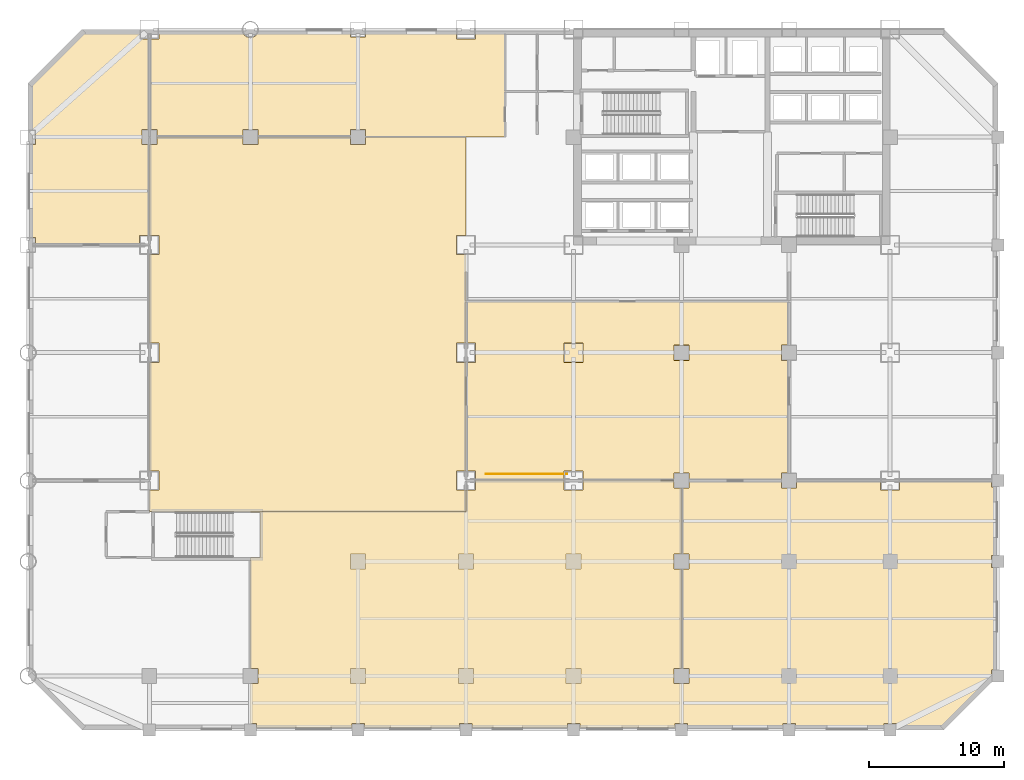
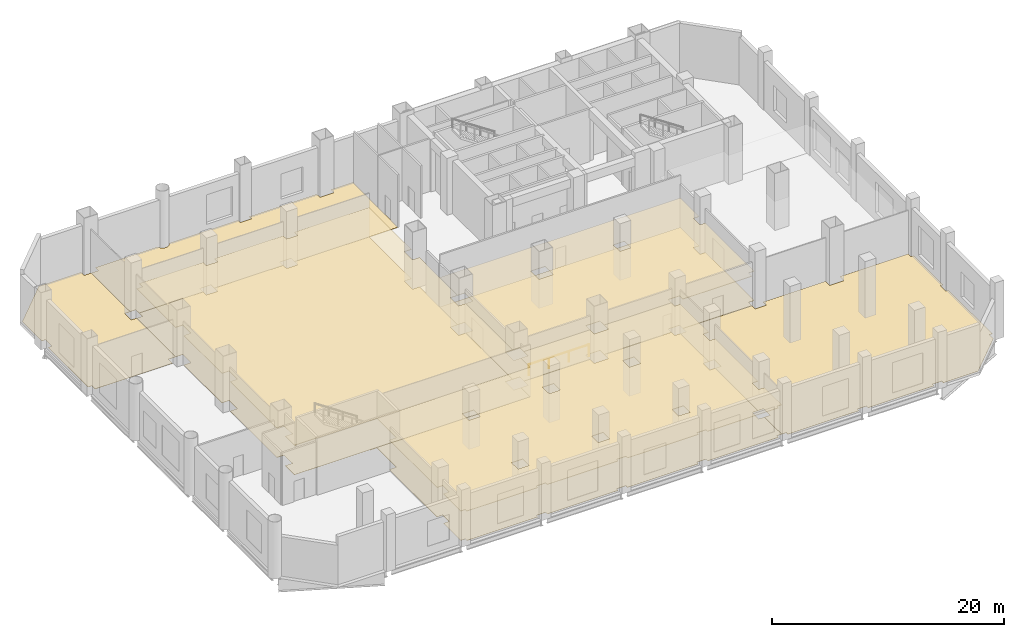
# One storey, part 9 of 11: 9 coverings, 1 railing.
"""IFC4 building model written with IfcOpenShell, lengths in metres."""

from ifc_helpers import new_model, si_unit, direction, frame, origin, origin_2d, place, context, subcontext, project, spatial, polyline, circle, outline, extrude, material, layer, layer_set, type_object, element, save


model = new_model("IFC4")

# Units and contexts
model_context = context("Model", 3, precision=1e-05, world=origin(), true_north=direction((0.0, 1.0)))
body_context = subcontext(model_context, "Body", "Model", "MODEL_VIEW")
ifc_project = project(units=[si_unit("LENGTHUNIT", "METRE"), si_unit("AREAUNIT", "SQUARE_METRE"), si_unit("VOLUMEUNIT", "CUBIC_METRE"), si_unit("PLANEANGLEUNIT", "RADIAN"), si_unit("MASSUNIT", "GRAM", prefix="KILO")], contexts=[model_context])

# Site, building, storey
site_placement = place(None, origin())
site = spatial("IfcSite", under=ifc_project, at=site_placement, CompositionType="ELEMENT")
building_placement = place(site_placement, origin())
building = spatial("IfcBuilding", under=site, at=building_placement, Name="Qianrong Seaharbour Tower", CompositionType="ELEMENT")
storey_placement = place(building_placement, frame((0.0, 0.0, 11.39990234375)))
storey = spatial("IfcBuildingStorey", under=building, at=storey_placement, Name="L03", CompositionType="ELEMENT", Elevation=11.39990234375)

# Coverings
ifc_material_1 = material(Name="Perforated acoustic gypsum ceiling board")
ifc_layer_1 = layer(ifc_material_1, 0.050048828125)
ifc_layer_set_1 = layer_set([ifc_layer_1], Name="Perforated acoustic gypsum ceiling board")
covering_type_1 = type_object("IfcCoveringType", Name="COV-CEIL-GYPSUM-50", PredefinedType="CEILING", material=ifc_layer_set_1)
covering_1_placement = place(storey_placement, frame((0.0, 0.0, 3.080078125)))
element("IfcCovering", 1, at=covering_1_placement, inside=storey, type_object=covering_type_1, Name="L03 Corporate Auditorium Acoustic Ceiling", PredefinedType="CEILING", context=body_context, shape_type="SweptSolid", body=[
    extrude(outline(polyline([(15.93994140625, 44.0), (15.93994140625, 43.43994140625), (17.06005859375, 43.43994140625), (17.06005859375, 44.0), (23.93994140625, 44.0), (23.93994140625, 43.43994140625), (25.06005859375, 43.43994140625), (25.06005859375, 44.0), (32.5, 44.0), (32.5, 36.7099609375), (31.7900390625, 36.7099609375), (31.7900390625, 35.2900390625), (32.5, 35.2900390625), (32.5, 28.7099609375), (31.7900390625, 28.7099609375), (31.7900390625, 27.2900390625), (32.5, 27.2900390625), (32.5, 19.2099609375), (31.7900390625, 19.2099609375), (31.7900390625, 17.7900390625), (32.5, 17.7900390625), (32.5, 16.199951171875), (9.0, 16.199951171875), (9.0, 17.7900390625), (9.7099609375, 17.7900390625), (9.7099609375, 19.2099609375), (9.0, 19.2099609375), (9.0, 27.2900390625), (9.7099609375, 27.2900390625), (9.7099609375, 28.7099609375), (9.0, 28.7099609375), (9.0, 35.2900390625), (9.7099609375, 35.2900390625), (9.7099609375, 36.7099609375), (9.0, 36.7099609375), (9.0, 43.43994140625), (9.56005859375, 43.43994140625), (9.56005859375, 44.0), (15.93994140625, 44.0)])), origin(), (0.0, 0.0, 1.0), 0.050048828125),
])
covering_2_placement = place(storey_placement, frame((0.0, 0.0, 3.080078125)))
element("IfcCovering", 2, at=covering_2_placement, inside=storey, type_object=covering_type_1, Name="L03 Pre-Function Foyer Acoustic Ceiling", PredefinedType="CEILING", context=body_context, shape_type="SweptSolid", body=[
    extrude(outline(polyline([(56.5, 31.800048828125), (56.5, 28.56005859375), (55.93994140625, 28.56005859375), (55.93994140625, 27.43994140625), (56.5, 27.43994140625), (56.5, 19.06005859375), (55.93994140625, 19.06005859375), (55.93994140625, 18.5), (49.06005859375, 18.5), (49.06005859375, 19.06005859375), (47.93994140625, 19.06005859375), (47.93994140625, 18.5), (41.2099609375, 18.5), (41.2099609375, 19.2099609375), (39.7900390625, 19.2099609375), (39.7900390625, 18.5), (33.2099609375, 18.5), (33.2099609375, 19.2099609375), (32.5, 19.2099609375), (32.5, 27.2900390625), (33.2099609375, 27.2900390625), (33.2099609375, 28.7099609375), (32.5, 28.7099609375), (32.5, 31.800048828125), (56.5, 31.800048828125)]), holes=[polyline([(47.93994140625, 27.43994140625), (49.06005859375, 27.43994140625), (49.06005859375, 28.56005859375), (47.93994140625, 28.56005859375), (47.93994140625, 27.43994140625)]), polyline([(39.7900390625, 27.2900390625), (41.2099609375, 27.2900390625), (41.2099609375, 28.7099609375), (39.7900390625, 28.7099609375), (39.7900390625, 27.2900390625)])]), origin(), (0.0, 0.0, 1.0), 0.050048828125),
])
covering_3_placement = place(storey_placement, frame((0.0, 0.0, 3.080078125)))
element("IfcCovering", 3, at=covering_3_placement, inside=storey, type_object=covering_type_1, Name="L03 Reception Salon Acoustic Ceiling", PredefinedType="CEILING", context=body_context, shape_type="SweptSolid", body=[
    extrude(outline(polyline([(48.5, 13.06005859375), (47.93994140625, 13.06005859375), (47.93994140625, 11.93994140625), (48.5, 11.93994140625), (48.5, 4.56005859375), (47.93994140625, 4.56005859375), (47.93994140625, 3.43994140625), (48.5, 3.43994140625), (48.5, 0.4599609375), (48.0400390625, 0.4599609375), (48.0400390625, 0.18505859375), (40.9599609375, 0.18505859375), (40.9599609375, 0.4599609375), (40.0400390625, 0.4599609375), (40.0400390625, 0.18505859375), (32.9599609375, 0.18505859375), (32.9599609375, 0.4599609375), (32.0400390625, 0.4599609375), (32.0400390625, 0.18505859375), (24.9599609375, 0.18505859375), (24.9599609375, 0.4599609375), (24.0400390625, 0.4599609375), (24.0400390625, 0.18505859375), (16.9599609375, 0.18505859375), (16.9599609375, 0.4599609375), (16.5, 0.4599609375), (16.5, 3.43994140625), (17.06005859375, 3.43994140625), (17.06005859375, 4.56005859375), (16.5, 4.56005859375), (16.5, 12.800048828125), (17.199951171875, 12.800048828125), (17.199951171875, 16.14990234375), (16.5, 16.14990234375), (16.5, 16.199951171875), (32.5, 16.199951171875), (32.5, 17.7900390625), (33.2099609375, 17.7900390625), (33.2099609375, 18.5), (39.7900390625, 18.5), (39.7900390625, 17.7900390625), (41.2099609375, 17.7900390625), (41.2099609375, 18.5), (47.93994140625, 18.5), (47.93994140625, 17.93994140625), (48.5, 17.93994140625), (48.5, 13.06005859375)]), holes=[polyline([(39.93994140625, 3.43994140625), (41.06005859375, 3.43994140625), (41.06005859375, 4.56005859375), (39.93994140625, 4.56005859375), (39.93994140625, 3.43994140625)]), polyline([(39.93994140625, 11.93994140625), (41.06005859375, 11.93994140625), (41.06005859375, 13.06005859375), (39.93994140625, 13.06005859375), (39.93994140625, 11.93994140625)]), polyline([(31.93994140625, 3.43994140625), (33.06005859375, 3.43994140625), (33.06005859375, 4.56005859375), (31.93994140625, 4.56005859375), (31.93994140625, 3.43994140625)]), polyline([(31.93994140625, 11.93994140625), (33.06005859375, 11.93994140625), (33.06005859375, 13.06005859375), (31.93994140625, 13.06005859375), (31.93994140625, 11.93994140625)]), polyline([(23.93994140625, 3.43994140625), (25.06005859375, 3.43994140625), (25.06005859375, 4.56005859375), (23.93994140625, 4.56005859375), (23.93994140625, 3.43994140625)]), polyline([(23.93994140625, 11.93994140625), (25.06005859375, 11.93994140625), (25.06005859375, 13.06005859375), (23.93994140625, 13.06005859375), (23.93994140625, 11.93994140625)])]), origin(), (0.0, 0.0, 1.0), 0.050048828125),
])
ifc_material_2 = material(Name="Acoustic modular carpet tile flooring")
ifc_layer_2 = layer(ifc_material_2, 0.02001953125)
ifc_layer_set_2 = layer_set([ifc_layer_2], Name="Acoustic modular carpet tile flooring")
covering_type_2 = type_object("IfcCoveringType", Name="COV-FLOOR-CARPET-20", PredefinedType="FLOORING", material=ifc_layer_set_2)
covering_4_placement = place(storey_placement, origin())
element("IfcCovering", 4, at=covering_4_placement, inside=storey, type_object=covering_type_2, Name="L03 Corporate Auditorium Finish Flooring", PredefinedType="FLOORING", context=body_context, shape_type="SweptSolid", body=[
    extrude(outline(polyline([(15.93994140625, 44.0), (15.93994140625, 43.43994140625), (17.06005859375, 43.43994140625), (17.06005859375, 44.0), (23.93994140625, 44.0), (23.93994140625, 43.43994140625), (25.06005859375, 43.43994140625), (25.06005859375, 44.0), (32.5, 44.0), (32.5, 36.7099609375), (31.7900390625, 36.7099609375), (31.7900390625, 35.2900390625), (32.5, 35.2900390625), (32.5, 28.7099609375), (31.7900390625, 28.7099609375), (31.7900390625, 27.2900390625), (32.5, 27.2900390625), (32.5, 19.2099609375), (31.7900390625, 19.2099609375), (31.7900390625, 17.7900390625), (32.5, 17.7900390625), (32.5, 16.199951171875), (9.0, 16.199951171875), (9.0, 17.7900390625), (9.7099609375, 17.7900390625), (9.7099609375, 19.2099609375), (9.0, 19.2099609375), (9.0, 27.2900390625), (9.7099609375, 27.2900390625), (9.7099609375, 28.7099609375), (9.0, 28.7099609375), (9.0, 35.2900390625), (9.7099609375, 35.2900390625), (9.7099609375, 36.7099609375), (9.0, 36.7099609375), (9.0, 43.43994140625), (9.56005859375, 43.43994140625), (9.56005859375, 44.0), (15.93994140625, 44.0)])), origin(), (0.0, 0.0, 1.0), 0.02001953125),
])
covering_5_placement = place(storey_placement, origin())
element("IfcCovering", 5, at=covering_5_placement, inside=storey, type_object=covering_type_2, Name="L03 Speakers Green Room Finish Flooring", PredefinedType="FLOORING", context=body_context, shape_type="SweptSolid", body=[
    extrude(outline(polyline([(0.18505859375, 43.43994140625), (0.56005859375, 43.43994140625), (0.56005859375, 44.56005859375), (0.18505859375, 44.56005859375), (0.18505859375, 47.92333984375), (4.07666015625, 51.81494140625), (8.2900390625, 51.81494140625), (8.2900390625, 51.2900390625), (9.0, 51.2900390625), (9.0, 44.56005859375), (8.43994140625, 44.56005859375), (8.43994140625, 43.43994140625), (9.0, 43.43994140625), (9.0, 36.7099609375), (8.2900390625, 36.7099609375), (8.2900390625, 36.0), (0.56005859375, 36.0), (0.56005859375, 36.56005859375), (0.18505859375, 36.56005859375), (0.18505859375, 43.43994140625)])), origin(), (0.0, 0.0, 1.0), 0.02001953125),
])
covering_6_placement = place(storey_placement, origin())
element("IfcCovering", 6, at=covering_6_placement, inside=storey, type_object=covering_type_2, Name="L03 Auditorium Backstage Lounge Finish Flooring", PredefinedType="FLOORING", context=body_context, shape_type="SweptSolid", body=[
    extrude(outline(polyline([(9.0, 51.2900390625), (9.7099609375, 51.2900390625), (9.7099609375, 51.81494140625), (15.921630859375, 51.81494140625), (15.936279296875, 51.7666015625), (15.992919921875, 51.6611328125), (16.068603515625, 51.568603515625), (16.1611328125, 51.492919921875), (16.2666015625, 51.436279296875), (16.381103515625, 51.401611328125), (16.5, 51.389892578125), (16.618896484375, 51.401611328125), (16.7333984375, 51.436279296875), (16.8388671875, 51.492919921875), (16.931396484375, 51.568603515625), (17.007080078125, 51.6611328125), (17.063720703125, 51.7666015625), (17.078369140625, 51.81494140625), (23.93994140625, 51.81494140625), (23.93994140625, 51.43994140625), (25.06005859375, 51.43994140625), (25.06005859375, 51.81494140625), (31.7900390625, 51.81494140625), (31.7900390625, 51.2900390625), (33.2099609375, 51.2900390625), (33.2099609375, 51.81494140625), (35.39990234375, 51.81494140625), (35.39990234375, 44.0), (25.06005859375, 44.0), (25.06005859375, 44.56005859375), (23.93994140625, 44.56005859375), (23.93994140625, 44.0), (17.06005859375, 44.0), (17.06005859375, 44.56005859375), (15.93994140625, 44.56005859375), (15.93994140625, 44.0), (9.56005859375, 44.0), (9.56005859375, 44.56005859375), (9.0, 44.56005859375), (9.0, 51.2900390625)])), origin(), (0.0, 0.0, 1.0), 0.02001953125),
])
covering_7_placement = place(storey_placement, origin())
element("IfcCovering", 7, at=covering_7_placement, inside=storey, type_object=covering_type_2, Name="L03 Reception Salon Finish Flooring", PredefinedType="FLOORING", context=body_context, shape_type="SweptSolid", body=[
    extrude(outline(polyline([(48.5, 13.06005859375), (47.93994140625, 13.06005859375), (47.93994140625, 11.93994140625), (48.5, 11.93994140625), (48.5, 4.56005859375), (47.93994140625, 4.56005859375), (47.93994140625, 3.43994140625), (48.5, 3.43994140625), (48.5, 0.4599609375), (48.0400390625, 0.4599609375), (48.0400390625, 0.18505859375), (40.9599609375, 0.18505859375), (40.9599609375, 0.4599609375), (40.0400390625, 0.4599609375), (40.0400390625, 0.18505859375), (32.9599609375, 0.18505859375), (32.9599609375, 0.4599609375), (32.0400390625, 0.4599609375), (32.0400390625, 0.18505859375), (24.9599609375, 0.18505859375), (24.9599609375, 0.4599609375), (24.0400390625, 0.4599609375), (24.0400390625, 0.18505859375), (16.9599609375, 0.18505859375), (16.9599609375, 0.4599609375), (16.5, 0.4599609375), (16.5, 3.43994140625), (17.06005859375, 3.43994140625), (17.06005859375, 4.56005859375), (16.5, 4.56005859375), (16.5, 12.800048828125), (17.199951171875, 12.800048828125), (17.199951171875, 16.14990234375), (16.5, 16.14990234375), (16.5, 16.199951171875), (32.5, 16.199951171875), (32.5, 17.7900390625), (33.2099609375, 17.7900390625), (33.2099609375, 18.5), (39.7900390625, 18.5), (39.7900390625, 17.7900390625), (41.2099609375, 17.7900390625), (41.2099609375, 18.5), (47.93994140625, 18.5), (47.93994140625, 17.93994140625), (48.5, 17.93994140625), (48.5, 13.06005859375)])), origin(), (0.0, 0.0, 1.0), 0.02001953125),
])
covering_8_placement = place(storey_placement, origin())
element("IfcCovering", 8, at=covering_8_placement, inside=storey, type_object=covering_type_2, Name="L03 Chairman Reception Suite Finish Flooring", PredefinedType="FLOORING", context=body_context, shape_type="SweptSolid", body=[
    extrude(outline(polyline([(71.81494140625, 12.9599609375), (71.5400390625, 12.9599609375), (71.5400390625, 12.0400390625), (71.81494140625, 12.0400390625), (71.81494140625, 4.4599609375), (71.5400390625, 4.4599609375), (71.5400390625, 3.801513671875), (67.92333984375, 0.18505859375), (64.4599609375, 0.18505859375), (64.4599609375, 0.4599609375), (63.5400390625, 0.4599609375), (63.5400390625, 0.18505859375), (56.9599609375, 0.18505859375), (56.9599609375, 0.4599609375), (56.0400390625, 0.4599609375), (56.0400390625, 0.18505859375), (48.9599609375, 0.18505859375), (48.9599609375, 0.4599609375), (48.5, 0.4599609375), (48.5, 3.43994140625), (49.06005859375, 3.43994140625), (49.06005859375, 4.56005859375), (48.5, 4.56005859375), (48.5, 11.93994140625), (49.06005859375, 11.93994140625), (49.06005859375, 13.06005859375), (48.5, 13.06005859375), (48.5, 17.93994140625), (49.06005859375, 17.93994140625), (49.06005859375, 18.5), (55.93994140625, 18.5), (55.93994140625, 17.93994140625), (57.06005859375, 17.93994140625), (57.06005859375, 18.5), (63.2900390625, 18.5), (63.2900390625, 17.7900390625), (64.7099609375, 17.7900390625), (64.7099609375, 18.5), (71.5400390625, 18.5), (71.5400390625, 18.0400390625), (71.81494140625, 18.0400390625), (71.81494140625, 12.9599609375)])), origin(), (0.0, 0.0, 1.0), 0.02001953125),
])
ifc_material_3 = material(Name="Honed granite stone flooring", Category="masonry")
ifc_layer_3 = layer(ifc_material_3, 0.030029296875)
ifc_layer_set_3 = layer_set([ifc_layer_3], Name="Honed granite stone flooring")
covering_type_3 = type_object("IfcCoveringType", Name="COV-FLOOR-GRANITE-30", PredefinedType="FLOORING", material=ifc_layer_set_3)
covering_9_placement = place(storey_placement, origin())
element("IfcCovering", 9, at=covering_9_placement, inside=storey, type_object=covering_type_3, Name="L03 Pre-Function Foyer Finish Flooring", PredefinedType="FLOORING", context=body_context, shape_type="SweptSolid", body=[
    extrude(outline(polyline([(56.5, 31.800048828125), (56.5, 28.56005859375), (55.93994140625, 28.56005859375), (55.93994140625, 27.43994140625), (56.5, 27.43994140625), (56.5, 19.06005859375), (55.93994140625, 19.06005859375), (55.93994140625, 18.5), (49.06005859375, 18.5), (49.06005859375, 19.06005859375), (47.93994140625, 19.06005859375), (47.93994140625, 18.5), (41.2099609375, 18.5), (41.2099609375, 19.2099609375), (39.7900390625, 19.2099609375), (39.7900390625, 18.5), (33.2099609375, 18.5), (33.2099609375, 19.2099609375), (32.5, 19.2099609375), (32.5, 27.2900390625), (33.2099609375, 27.2900390625), (33.2099609375, 28.7099609375), (32.5, 28.7099609375), (32.5, 31.800048828125), (56.5, 31.800048828125)])), origin(), (0.0, 0.0, 1.0), 0.030029296875),
])

# Railing
ifc_material_4 = material(Name="Laminated safety glass and stainless steel SUS316L balustrade", Category="steel")
railing_type = type_object("IfcRailingType", Name="RAIL-ATRIUM-BALUSTRADE-1220", PredefinedType="BALUSTRADE", material=ifc_material_4)
railing_placement = place(storey_placement, frame((34.0, 19.0, 0.0)))
element("IfcRailing", 10, at=railing_placement, inside=storey, type_object=railing_type, Name="L03 Foyer Feature Balustrade", PredefinedType="BALUSTRADE", context=body_context, shape_type="SweptSolid", body=[
    extrude(circle(Radius=0.02392578125, at=origin_2d()), frame((0.0, 0.0, 1.19580078125), z_axis=(1.0, 0.0, 0.0), x_axis=(0.0, 1.0, 0.0)), (0.0, 0.0, 1.0), 6.0),
    extrude(circle(Radius=0.02099609375, at=origin_2d()), origin(), (0.0, 0.0, 1.0), 1.171875),
    extrude(circle(Radius=0.02099609375, at=origin_2d()), frame((2.0, 0.0, 0.0)), (0.0, 0.0, 1.0), 1.171875),
    extrude(circle(Radius=0.02099609375, at=origin_2d()), frame((4.0, 0.0, 0.0)), (0.0, 0.0, 1.0), 1.171875),
    extrude(circle(Radius=0.02099609375, at=origin_2d()), frame((6.0, 0.0, 0.0)), (0.0, 0.0, 1.0), 1.171875),
])

save(model, "model.ifc")
